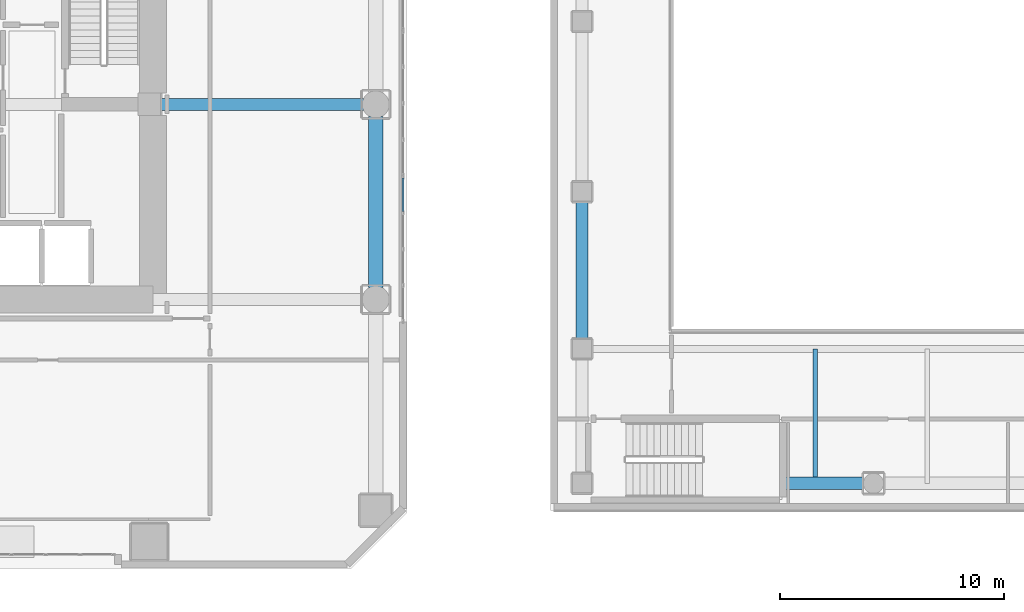
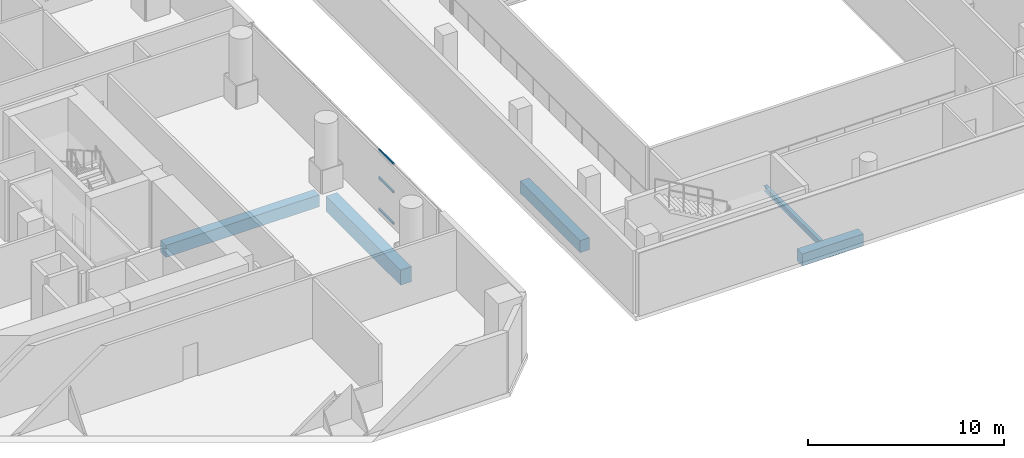
# One storey, part 8 of 22: 5 beams, 3 members, 1 element without a shape of its own.
"""IFC4 building model written with IfcOpenShell, lengths in metres."""

from ifc_helpers import new_model, si_unit, direction, frame, origin, origin_2d, place, context, subcontext, project, spatial, rectangle, hollow_rectangle, i_section, extrude, material, layer, layer_set, material_profile, profile_set, type_object, element, aggregate, save


model = new_model("IFC4")

# Units and contexts
model_context = context("Model", 3, precision=1e-05, world=origin(), true_north=direction((0.0, 1.0)))
body_context = subcontext(model_context, "Body", "Model", "MODEL_VIEW")
ifc_project = project(units=[si_unit("LENGTHUNIT", "METRE"), si_unit("AREAUNIT", "SQUARE_METRE"), si_unit("VOLUMEUNIT", "CUBIC_METRE"), si_unit("PLANEANGLEUNIT", "RADIAN"), si_unit("MASSUNIT", "GRAM", prefix="KILO")], contexts=[model_context])

# Site, building, storey
site_placement = place(None, origin())
site = spatial("IfcSite", under=ifc_project, at=site_placement, CompositionType="ELEMENT")
building_placement = place(site_placement, origin())
building = spatial("IfcBuilding", under=site, at=building_placement, Name="Solanera Arch Residences", CompositionType="ELEMENT")
storey_placement = place(building_placement, frame((0.0, 0.0, 13.60009765625)))
storey = spatial("IfcBuildingStorey", under=building, at=storey_placement, Name="L03", CompositionType="ELEMENT", Elevation=13.60009765625)

# Curtain wall, members
ifc_material_1 = material(Name="Anodised Aluminium Alloy 6063-T6", Category="aluminium")
ifc_layer = layer(ifc_material_1, 0.179931640625)
ifc_layer_set = layer_set([ifc_layer], Name="Anodised Aluminium Alloy 6063-T6")
curtain_wall_type = type_object("IfcCurtainWallType", Name="CW-4 Podium Conservatory Curtain Wall", PredefinedType="USERDEFINED", material=ifc_layer_set)
curtain_wall_placement = place(storey_placement, origin())
curtain_wall = element("IfcCurtainWall", 1, at=curtain_wall_placement, inside=storey, type_object=curtain_wall_type, Name="L03 Podium Conservatory Curtain Wall 3", ObjectType="CURTAIN_WALL", PredefinedType="USERDEFINED")
ifc_material_2 = material(Name="Anodised Aluminium Alloy 6063-T6", Category="aluminium")
ifc_material_profile_1 = material_profile(ifc_material_2, hollow_rectangle(XDim=0.080078125, YDim=0.139892578125, WallThickness=0.00390625, at=origin_2d()))
ifc_profile_set_1 = profile_set([ifc_material_profile_1], Name="Anodised Aluminium Alloy 6063-T6")
member_type = type_object("IfcMemberType", Name="Curtain Wall Transom ALU-TRN-80X140", PredefinedType="USERDEFINED", material=ifc_profile_set_1)
member_1_placement = place(storey_placement, frame((47.820068359375, 27.419921875, 0.039794921875), z_axis=(0.0, -1.0, 0.0), x_axis=(1.0, 0.0, 0.0)))
member_1 = element("IfcMember", 2, at=member_1_placement, type_object=member_type, Name="CW-4 transom 1.1", ObjectType="TRANSOM", PredefinedType="USERDEFINED", context=body_context, shape_type="SweptSolid", body=[
    extrude(hollow_rectangle(XDim=0.080078125, YDim=0.139892578125, WallThickness=0.00390625, at=origin_2d()), origin(), (0.0, 0.0, 1.0), 1.5048828125),
])
member_2_placement = place(storey_placement, frame((47.820068359375, 27.419921875, 2.0), z_axis=(0.0, -1.0, 0.0), x_axis=(1.0, 0.0, 0.0)))
member_2 = element("IfcMember", 3, at=member_2_placement, type_object=member_type, Name="CW-4 transom 1.2", ObjectType="TRANSOM", PredefinedType="USERDEFINED", context=body_context, shape_type="SweptSolid", body=[
    extrude(hollow_rectangle(XDim=0.080078125, YDim=0.139892578125, WallThickness=0.00390625, at=origin_2d()), origin(), (0.0, 0.0, 1.0), 1.5048828125),
])
member_3_placement = place(storey_placement, frame((47.820068359375, 27.419921875, 3.739990234375), z_axis=(0.0, -1.0, 0.0), x_axis=(1.0, 0.0, 0.0)))
member_3 = element("IfcMember", 4, at=member_3_placement, type_object=member_type, Name="CW-4 transom 1.3", ObjectType="TRANSOM", PredefinedType="USERDEFINED", context=body_context, shape_type="SweptSolid", body=[
    extrude(hollow_rectangle(XDim=0.080078125, YDim=0.139892578125, WallThickness=0.00390625, at=origin_2d()), origin(), (0.0, 0.0, 1.0), 1.5048828125),
])
aggregate(curtain_wall, [member_1, member_2, member_3])

# Beams
ifc_material_3 = material(Name="Concrete C40/50 (f'c = 45 MPa)", Category="concrete")
ifc_material_profile_2 = material_profile(ifc_material_3, rectangle(XDim=0.550048828125, YDim=0.75, at=origin_2d()))
ifc_profile_set_2 = profile_set([ifc_material_profile_2], Name="Concrete C40/50 (f'c = 45 MPa)")
beam_type_1 = type_object("IfcBeamType", Name="Primary Beam RC-BM-550X750", PredefinedType="BEAM", material=ifc_profile_set_2)
beam_1_placement = place(storey_placement, frame((37.00390625, 30.699951171875, -0.655029296875), z_axis=(1.0, 0.0, 0.0), x_axis=(0.0, 1.0, 0.0)))
element("IfcBeam", 5, at=beam_1_placement, inside=storey, type_object=beam_type_1, Name="BM-L03-POD-RE-30", PredefinedType="BEAM", context=body_context, shape_type="SweptSolid", body=[
    extrude(rectangle(XDim=0.550048828125, YDim=0.75, at=origin_2d()), origin(), (0.0, 0.0, 1.0), 9.05615234375),
])
beam_2_placement = place(storey_placement, frame((55.800048828125, 20.22509765625, -0.655029296875), z_axis=(0.0, 1.0, 0.0), x_axis=(-1.0, 0.0, 0.0)))
element("IfcBeam", 6, at=beam_2_placement, inside=storey, type_object=beam_type_1, Name="BM-L03-HW-2", PredefinedType="BEAM", context=body_context, shape_type="SweptSolid", body=[
    extrude(rectangle(XDim=0.550048828125, YDim=0.75, at=origin_2d()), origin(), (0.0, 0.0, 1.0), 6.14990234375),
])
beam_3_placement = place(storey_placement, frame((64.760009765625, 13.800048828125, -0.655029296875), z_axis=(1.0, 0.0, 0.0), x_axis=(0.0, 1.0, 0.0)))
element("IfcBeam", 7, at=beam_3_placement, inside=storey, type_object=beam_type_1, Name="BM-L03-HS-1", PredefinedType="BEAM", context=body_context, shape_type="SweptSolid", body=[
    extrude(rectangle(XDim=0.550048828125, YDim=0.75, at=origin_2d()), origin(), (0.0, 0.0, 1.0), 3.590087890625),
])
ifc_material_4 = material(Name="Concrete C40/50 (f'c = 45 MPa)", Category="concrete")
ifc_material_profile_3 = material_profile(ifc_material_4, rectangle(XDim=0.64990234375, YDim=0.949951171875, at=origin_2d()))
ifc_profile_set_3 = profile_set([ifc_material_profile_3], Name="Concrete C40/50 (f'c = 45 MPa)")
beam_type_2 = type_object("IfcBeamType", Name="Primary Beam RC-BM-650X950", PredefinedType="BEAM", material=ifc_profile_set_3)
beam_4_placement = place(storey_placement, frame((46.60009765625, 22.5400390625, -0.755126953125), z_axis=(0.0, 1.0, 0.0), x_axis=(-1.0, 0.0, 0.0)))
element("IfcBeam", 8, at=beam_4_placement, inside=storey, type_object=beam_type_2, Name="BM-L03-POD-E2", PredefinedType="BEAM", context=body_context, shape_type="SweptSolid", body=[
    extrude(rectangle(XDim=0.64990234375, YDim=0.949951171875, at=origin_2d()), origin(), (0.0, 0.0, 1.0), 7.619873046875),
])
ifc_material_5 = material(Name="Steel S355 (ASTM A992 / A572 Grade 50)", Category="steel")
ifc_material_profile_4 = material_profile(ifc_material_5, i_section(OverallWidth=0.205078125, OverallDepth=0.35400390625, WebThickness=0.009521484375, FlangeThickness=0.016845703125, at=origin_2d()))
ifc_profile_set_4 = profile_set([ifc_material_profile_4], Name="Steel S355 (ASTM A992 / A572 Grade 50)")
beam_type_3 = type_object("IfcBeamType", Name="Secondary Joist W360X79", PredefinedType="JOIST", material=ifc_profile_set_4)
beam_5_placement = place(storey_placement, frame((66.199951171875, 13.800048828125, -0.45703125), z_axis=(0.0, 1.0, 0.0), x_axis=(-1.0, 0.0, 0.0)))
element("IfcBeam", 9, at=beam_5_placement, inside=storey, type_object=beam_type_3, Name="BM-L03-HJS-66", PredefinedType="JOIST", context=body_context, shape_type="SweptSolid", body=[
    extrude(i_section(OverallWidth=0.205078125, OverallDepth=0.35400390625, WebThickness=0.009521484375, FlangeThickness=0.016845703125, at=origin_2d()), origin(), (0.0, 0.0, 1.0), 6.0),
])

save(model, "model.ifc")
